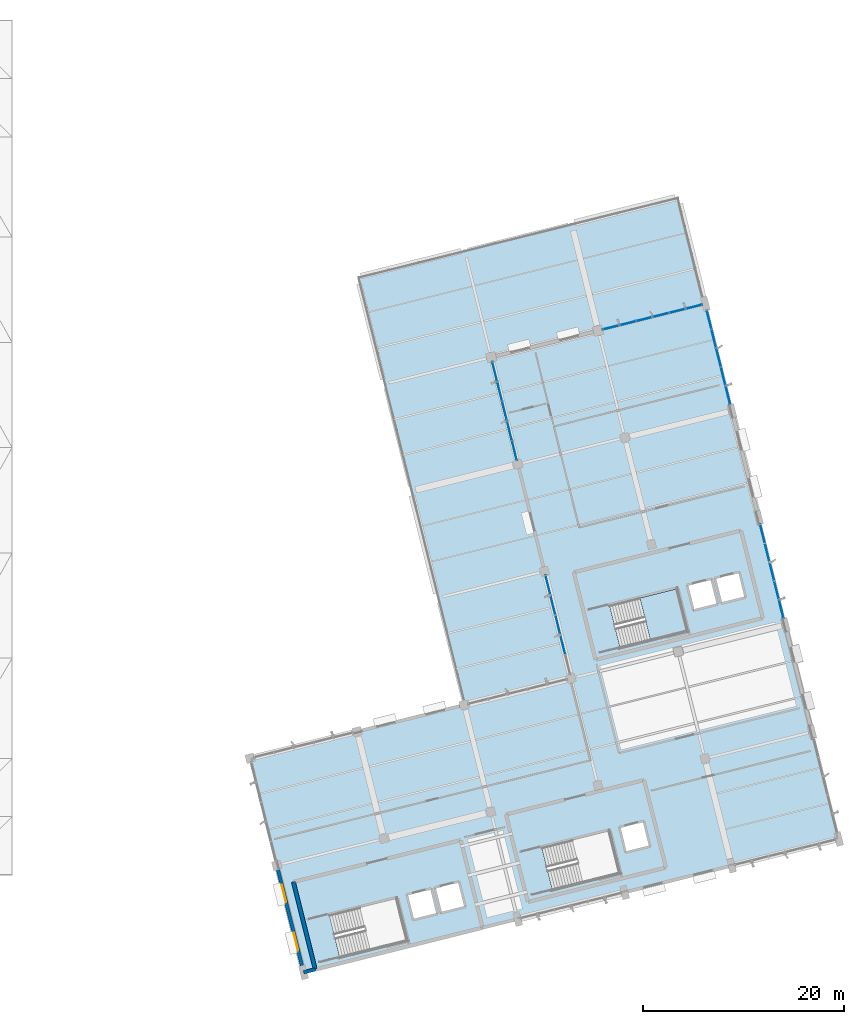
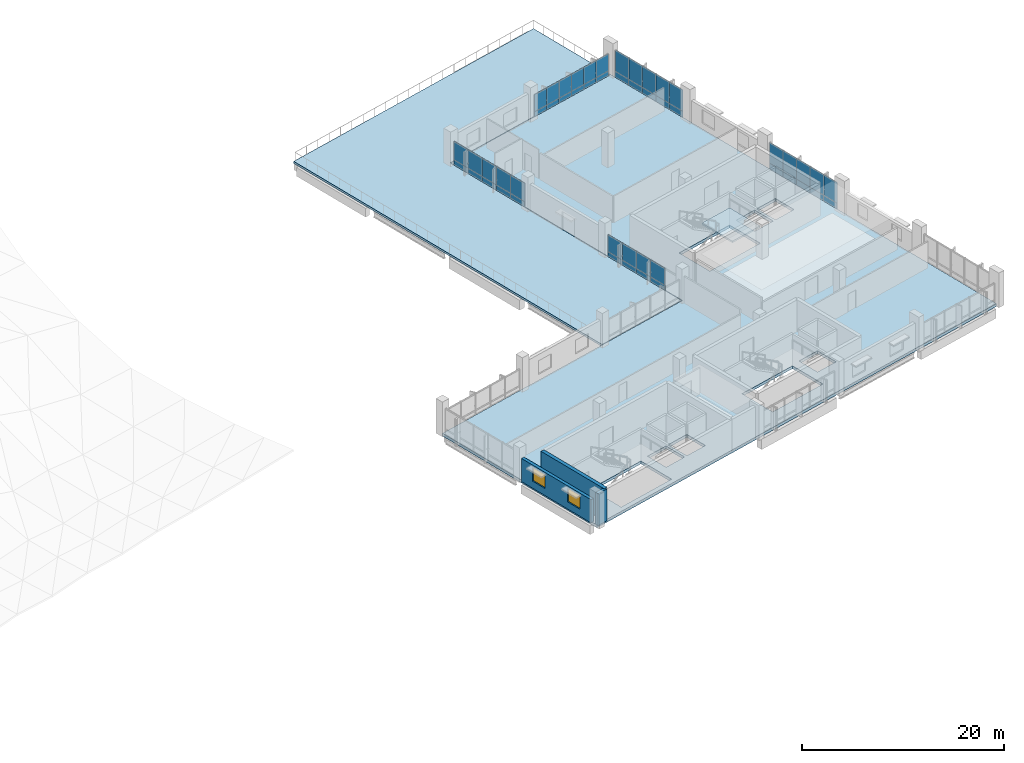
# One storey, part 34 of 42: 50 plates, 3 slabs, 3 walls, 2 windows, 2 openings, 6 elements without a shape of their own.
"""IFC4 building model written with IfcOpenShell, lengths in metres."""

import ifcopenshell
import ifcopenshell.guid

model = None  # the IFC model being written
_history = None  # IfcOwnerHistory: only IFC2X3 demands one
_inside = {}  # id of a spatial element -> (the spatial element, [elements in it])
_under = {}  # id of a project, library or spatial element -> (it, [spatial elements below it])
_declared = {}  # id of a project -> (the project, [libraries it declares])
_typed = {}  # id of a type object -> (the type object, [elements of that type])
_made_of = {}  # id of a material, layer set ... -> (it, [elements and type objects made of it])


def new_model(schema):
    """Start an empty IFC model of exactly this schema.

    Asked for "IFC4X3", IfcOpenShell would pick the latest addendum, in which some entities
    have other attributes; the version numbers below select the first issue.
    IFC2X3 requires an IfcOwnerHistory on every rooted entity: one is made here for all.
    """
    global model, _history
    if schema == "IFC4X3":
        model = ifcopenshell.file(schema_version=(4, 3, 0, 0))
    else:
        model = ifcopenshell.file(schema=schema)
    _inside.clear()
    _under.clear()
    _declared.clear()
    _typed.clear()
    _made_of.clear()
    _history = None
    if model.schema == "IFC2X3":
        org = make("IfcOrganization", Name="unknown")
        user = make(
            "IfcPersonAndOrganization",
            ThePerson=make("IfcPerson", FamilyName="unknown"),
            TheOrganization=org,
        )
        app = make(
            "IfcApplication",
            ApplicationDeveloper=org,
            Version="unknown",
            ApplicationFullName="unknown",
            ApplicationIdentifier="unknown",
        )
        _history = make(
            "IfcOwnerHistory",
            OwningUser=user,
            OwningApplication=app,
            ChangeAction="ADDED",
            CreationDate=0,
        )
    return model


def make(cls, **values):
    """One entity of the class cls with the attributes given. An attribute that is None is left unset."""
    return model.create_entity(
        cls, **{name: value for name, value in values.items() if value is not None}
    )


def rooted(cls, **values):
    """An entity with a GlobalId (a new one), such as an element, a storey or a relation."""
    return make(cls, GlobalId=ifcopenshell.guid.new(), OwnerHistory=_history, **values)


def si_unit(unit_type, name, prefix=None):
    """IfcSIUnit, for example si_unit("LENGTHUNIT", "METRE", prefix="MILLI")."""
    return make("IfcSIUnit", UnitType=unit_type, Prefix=prefix, Name=name)


def assignment(units):
    """IfcUnitAssignment: the units of a project."""
    return None if units is None else make("IfcUnitAssignment", Units=units)


def point(xyz):
    """IfcCartesianPoint."""
    return None if xyz is None else make("IfcCartesianPoint", Coordinates=xyz)


def direction(xyz):
    """IfcDirection."""
    return None if xyz is None else make("IfcDirection", DirectionRatios=xyz)


def frame(location, z_axis=None, x_axis=None):
    """IfcAxis2Placement3D, a coordinate frame: its origin and axes. An axis left out is left unset."""
    return make(
        "IfcAxis2Placement3D",
        Location=point(location),
        Axis=direction(z_axis),
        RefDirection=direction(x_axis),
    )


def frame_2d(location, x_axis=None):
    """IfcAxis2Placement2D, a coordinate frame in the plane: its origin and x axis."""
    return make(
        "IfcAxis2Placement2D", Location=point(location), RefDirection=direction(x_axis)
    )


def origin():
    """The frame at (0, 0, 0) with its axes left unset."""
    return frame((0.0, 0.0, 0.0))


def origin_2d():
    """The frame at (0, 0) in the plane with its x axis left unset."""
    return frame_2d((0.0, 0.0))


def place(relative_to, where):
    """IfcLocalPlacement: puts the frame where relative to a parent placement (None: the world)."""
    return make(
        "IfcLocalPlacement", PlacementRelTo=relative_to, RelativePlacement=where
    )


def context(
    kind, dimensions, precision=None, world=None, true_north=None, identifier=None
):
    """IfcGeometricRepresentationContext, for example the 3D "Model" context."""
    return make(
        "IfcGeometricRepresentationContext",
        ContextIdentifier=identifier,
        ContextType=kind,
        CoordinateSpaceDimension=dimensions,
        Precision=precision,
        WorldCoordinateSystem=world,
        TrueNorth=true_north,
    )


def subcontext(parent, identifier, kind, view, scale=None):
    """IfcGeometricRepresentationSubContext, for example "Body" below "Model"."""
    return make(
        "IfcGeometricRepresentationSubContext",
        ContextIdentifier=identifier,
        ContextType=kind,
        ParentContext=parent,
        TargetScale=scale,
        TargetView=view,
    )


def project(units=None, contexts=None):
    """IfcProject with its units and contexts."""
    return rooted(
        "IfcProject",
        Name="project",
        RepresentationContexts=contexts,
        UnitsInContext=assignment(units),
    )


def spatial(cls, under=None, at=None, **own):
    """A site, building, storey or space (cls), placed at a placement, below another one or the project."""
    s = rooted(cls, ObjectPlacement=at, **own)
    if under is not None:
        _under.setdefault(under.id(), (under, []))[1].append(s)
    return s


def polyline(points):
    """IfcPolyline through the points."""
    return make("IfcPolyline", Points=[point(p) for p in points])


def profile(cls, at=None, kind="AREA", **sizes):
    """A parametric profile (cls). Its sizes go by their IFC names, for example OverallWidth=200.0."""
    return make(cls, ProfileType=kind, Position=at, **sizes)


def rectangle(**sizes):
    """IfcRectangleProfileDef."""
    return profile("IfcRectangleProfileDef", **sizes)


def outline(outer, holes=None, kind="AREA"):
    """IfcArbitraryClosedProfileDef: a profile drawn as a closed curve; with holes, ...WithVoids."""
    if holes is None:
        return make("IfcArbitraryClosedProfileDef", ProfileType=kind, OuterCurve=outer)
    return make(
        "IfcArbitraryProfileDefWithVoids",
        ProfileType=kind,
        OuterCurve=outer,
        InnerCurves=holes,
    )


def extrude(swept, where, along, depth):
    """IfcExtrudedAreaSolid: the profile swept, set in the frame where, extruded along a direction by depth."""
    return make(
        "IfcExtrudedAreaSolid",
        SweptArea=swept,
        Position=where,
        ExtrudedDirection=direction(along),
        Depth=depth,
    )


def shape(context_of_items, identifier, shape_type, items):
    """IfcShapeRepresentation: the items that make up one representation, for example the "Body"."""
    return make(
        "IfcShapeRepresentation",
        ContextOfItems=context_of_items,
        RepresentationIdentifier=identifier,
        RepresentationType=shape_type,
        Items=items,
    )


def material(Name=None, Category=None):
    """IfcMaterial."""
    return make("IfcMaterial", Name=Name, Category=Category)


def layer(
    of_material, thickness, ventilated=None, Name=None, Category=None, Priority=None
):
    """IfcMaterialLayer: one layer of a wall or slab, of a material (None: an air gap)."""
    return make(
        "IfcMaterialLayer",
        Material=of_material,
        LayerThickness=thickness,
        IsVentilated=ventilated,
        Name=Name,
        Category=Category,
        Priority=Priority,
    )


def layer_set(layers, Name=None):
    """IfcMaterialLayerSet."""
    return make("IfcMaterialLayerSet", MaterialLayers=layers, LayerSetName=Name)


def made_of(thing, what):
    """Note that an element or type object is made of a material, layer set ...; save() writes the relation."""
    if what is not None:
        _made_of.setdefault(what.id(), (what, []))[1].append(thing)
    return thing


def type_object(cls, material=None, **own):
    """A type object (cls), such as IfcWallType, which elements share."""
    return made_of(rooted(cls, **own), material)


def element(
    cls,
    number,
    at=None,
    inside=None,
    cuts=None,
    type_object=None,
    material=None,
    context=None,
    identifier="Body",
    shape_type=None,
    held_by="IfcProductDefinitionShape",
    body=None,
    shapes=None,
    **own,
):
    """One element of the class cls, such as IfcWall. Its Tag is "e" and its number.

    at: its placement. inside: the storey or other place that contains it. cuts: it is an
    opening in that element (IfcRelVoidsElement). A single representation is given by context,
    identifier, shape_type and body (its items); several are given by shapes. held_by: the class
    of the entity that holds the representations. save() writes the other relations.
    """
    e = rooted(cls, Tag="e%d" % number, ObjectPlacement=at, **own)
    if body is not None:
        shapes = [shape(context, identifier, shape_type, body)]
    if shapes is not None:
        e.Representation = make(held_by, Representations=shapes)
    if inside is not None:
        _inside.setdefault(inside.id(), (inside, []))[1].append(e)
    if cuts is not None:
        rooted(
            "IfcRelVoidsElement", RelatingBuildingElement=cuts, RelatedOpeningElement=e
        )
    if type_object is not None:
        _typed.setdefault(type_object.id(), (type_object, []))[1].append(e)
    return made_of(e, material)


def fill(opening, filler):
    """IfcRelFillsElement: the door or window that sits in an opening."""
    return rooted(
        "IfcRelFillsElement",
        RelatingOpeningElement=opening,
        RelatedBuildingElement=filler,
    )


def aggregate(whole, parts):
    """IfcRelAggregates: a whole, such as a stair, and the parts it consists of."""
    return rooted("IfcRelAggregates", RelatingObject=whole, RelatedObjects=parts)


def save(model, path):
    """Write the relations noted so far, then the file.

    IfcRelAggregates (storeys below a building ...), IfcRelContainedInSpatialStructure (elements
    in a storey), IfcRelDefinesByType, IfcRelAssociatesMaterial and IfcRelDeclares: one each for
    every whole, place, type object, material and project.
    """
    for whole, parts in _under.values():
        aggregate(whole, parts)
    for where, things in _inside.values():
        rooted(
            "IfcRelContainedInSpatialStructure",
            RelatedElements=things,
            RelatingStructure=where,
        )
    for kind, things in _typed.values():
        rooted("IfcRelDefinesByType", RelatedObjects=things, RelatingType=kind)
    for what, things in _made_of.values():
        rooted("IfcRelAssociatesMaterial", RelatedObjects=things, RelatingMaterial=what)
    for by, libraries in _declared.values():
        rooted("IfcRelDeclares", RelatingContext=by, RelatedDefinitions=libraries)
    model.write(path)


model = new_model("IFC4")

# Units and contexts
model_context = context("Model", 3, precision=1e-05, world=origin(), true_north=direction((0.0, 1.0)))
body_context = subcontext(model_context, "Body", "Model", "MODEL_VIEW")
ifc_project = project(units=[si_unit("LENGTHUNIT", "METRE"), si_unit("AREAUNIT", "SQUARE_METRE"), si_unit("VOLUMEUNIT", "CUBIC_METRE"), si_unit("PLANEANGLEUNIT", "RADIAN"), si_unit("MASSUNIT", "GRAM", prefix="KILO")], contexts=[model_context])

# Site, building, storey
site_placement = place(None, origin())
site = spatial("IfcSite", under=ifc_project, at=site_placement, CompositionType="ELEMENT")
building_placement = place(site_placement, origin())
building = spatial("IfcBuilding", under=site, at=building_placement, Name="Khorjan Park Terminus", CompositionType="ELEMENT")
storey_placement = place(building_placement, frame((0.0, 0.0, 20.4)))
storey = spatial("IfcBuildingStorey", under=building, at=storey_placement, Name="L04", CompositionType="ELEMENT", Elevation=20.4)

# Curtain wall, plates
ifc_material_1 = material(Name="Anodized Bronze Aluminium", Category="aluminium")
ifc_layer_1 = layer(ifc_material_1, 0.22)
ifc_layer_set_1 = layer_set([ifc_layer_1], Name="Anodized Bronze Aluminium")
curtain_wall_type = type_object("IfcCurtainWallType", Name="CW-OPS-B", PredefinedType="NOTDEFINED", material=ifc_layer_set_1)
curtain_wall_1_placement = place(storey_placement, origin())
curtain_wall_1 = element("IfcCurtainWall", 1, at=curtain_wall_1_placement, inside=storey, type_object=curtain_wall_type, Name="Unitized curtain wall CW-B (CW-V5-E-L04-B03)", PredefinedType="NOTDEFINED")
ifc_material_2 = material(Name="Low-E Solar Control Double Glazing", Category="glass")
ifc_layer_2 = layer(ifc_material_2, 0.032)
ifc_layer_set_2 = layer_set([ifc_layer_2], Name="Low-E Solar Control Double Glazing")
plate_type_1 = type_object("IfcPlateType", Name="GL-VIS-32", PredefinedType="CURTAIN_PANEL", material=ifc_layer_set_2)
plate_1_placement = place(storey_placement, frame((224.3195, 40.9083, 0.705), z_axis=(0.0, 0.0, 1.0), x_axis=(-0.241922975976, 0.970295456907, 0.0)))
plate_1 = element("IfcPlate", 2, at=plate_1_placement, type_object=plate_type_1, Name="Curtain-wall panel VP-32 (CW-V5-E-L04-B03-0-2)", PredefinedType="CURTAIN_PANEL", context=body_context, shape_type="SweptSolid", body=[
    extrude(rectangle(XDim=1.9281, YDim=0.032, at=origin_2d()), origin(), (0.0, 0.0, 1.0), 2.51),
])
plate_2_placement = place(storey_placement, frame((223.8531, 42.7792, 0.705), z_axis=(0.0, 0.0, 1.0), x_axis=(-0.241922975976, 0.970295456907, 0.0)))
plate_2 = element("IfcPlate", 3, at=plate_2_placement, type_object=plate_type_1, Name="Curtain-wall panel VP-32 (CW-V5-E-L04-B03-1-2)", PredefinedType="CURTAIN_PANEL", context=body_context, shape_type="SweptSolid", body=[
    extrude(rectangle(XDim=1.9281, YDim=0.032, at=origin_2d()), origin(), (0.0, 0.0, 1.0), 2.51),
])
plate_3_placement = place(storey_placement, frame((223.3867, 44.6501, 0.705), z_axis=(0.0, 0.0, 1.0), x_axis=(-0.241922975976, 0.970295456907, 0.0)))
plate_3 = element("IfcPlate", 4, at=plate_3_placement, type_object=plate_type_1, Name="Curtain-wall panel VP-32 (CW-V5-E-L04-B03-2-2)", PredefinedType="CURTAIN_PANEL", context=body_context, shape_type="SweptSolid", body=[
    extrude(rectangle(XDim=1.9281, YDim=0.032, at=origin_2d()), origin(), (0.0, 0.0, 1.0), 2.51),
])
plate_4_placement = place(storey_placement, frame((222.9202, 46.5209, 0.705), z_axis=(0.0, 0.0, 1.0), x_axis=(-0.241922975976, 0.970295456907, 0.0)))
plate_4 = element("IfcPlate", 5, at=plate_4_placement, type_object=plate_type_1, Name="Curtain-wall panel VP-32 (CW-V5-E-L04-B03-3-2)", PredefinedType="CURTAIN_PANEL", context=body_context, shape_type="SweptSolid", body=[
    extrude(rectangle(XDim=1.9281, YDim=0.032, at=origin_2d()), origin(), (0.0, 0.0, 1.0), 2.51),
])
plate_5_placement = place(storey_placement, frame((222.4538, 48.3918, 0.705), z_axis=(0.0, 0.0, 1.0), x_axis=(-0.241922975976, 0.970295456907, 0.0)))
plate_5 = element("IfcPlate", 6, at=plate_5_placement, type_object=plate_type_1, Name="Curtain-wall panel VP-32 (CW-V5-E-L04-B03-4-2)", PredefinedType="CURTAIN_PANEL", context=body_context, shape_type="SweptSolid", body=[
    extrude(rectangle(XDim=1.9281, YDim=0.032, at=origin_2d()), origin(), (0.0, 0.0, 1.0), 2.51),
])

curtain_wall_2_placement = place(storey_placement, origin())
curtain_wall_2 = element("IfcCurtainWall", 7, at=curtain_wall_2_placement, inside=storey, type_object=curtain_wall_type, Name="Unitized curtain wall CW-B (CW-V5-NW1-L04-B03)", PredefinedType="NOTDEFINED")
plate_6_placement = place(storey_placement, frame((201.059, 43.2629, 0.583), z_axis=(0.0, 0.0, 1.0), x_axis=(0.241920636916, -0.9702960401, 0.0)))
plate_6 = element("IfcPlate", 8, at=plate_6_placement, type_object=plate_type_1, Name="Curtain-wall panel VP-32 (CW-V5-NW1-L04-B03-0-2)", PredefinedType="CURTAIN_PANEL", context=body_context, shape_type="SweptSolid", body=[
    extrude(rectangle(XDim=2.0279, YDim=0.032, at=origin_2d()), origin(), (0.0, 0.0, 1.0), 2.077),
])
plate_7_placement = place(storey_placement, frame((201.5496, 41.2952, 0.583), z_axis=(0.0, 0.0, 1.0), x_axis=(0.241920636916, -0.9702960401, 0.0)))
plate_7 = element("IfcPlate", 9, at=plate_7_placement, type_object=plate_type_1, Name="Curtain-wall panel VP-32 (CW-V5-NW1-L04-B03-1-2)", PredefinedType="CURTAIN_PANEL", context=body_context, shape_type="SweptSolid", body=[
    extrude(rectangle(XDim=2.0279, YDim=0.032, at=origin_2d()), origin(), (0.0, 0.0, 1.0), 2.077),
])
plate_8_placement = place(storey_placement, frame((202.0402, 39.3274, 0.583), z_axis=(0.0, 0.0, 1.0), x_axis=(0.241920636916, -0.9702960401, 0.0)))
plate_8 = element("IfcPlate", 10, at=plate_8_placement, type_object=plate_type_1, Name="Curtain-wall panel VP-32 (CW-V5-NW1-L04-B03-2-2)", PredefinedType="CURTAIN_PANEL", context=body_context, shape_type="SweptSolid", body=[
    extrude(rectangle(XDim=2.0279, YDim=0.032, at=origin_2d()), origin(), (0.0, 0.0, 1.0), 2.077),
])
plate_9_placement = place(storey_placement, frame((202.5308, 37.3598, 0.583), z_axis=(0.0, 0.0, 1.0), x_axis=(0.241920636916, -0.9702960401, 0.0)))
plate_9 = element("IfcPlate", 11, at=plate_9_placement, type_object=plate_type_1, Name="Curtain-wall panel VP-32 (CW-V5-NW1-L04-B03-3-2)", PredefinedType="CURTAIN_PANEL", context=body_context, shape_type="SweptSolid", body=[
    extrude(rectangle(XDim=2.0279, YDim=0.032, at=origin_2d()), origin(), (0.0, 0.0, 1.0), 2.077),
])

curtain_wall_3_placement = place(storey_placement, origin())
curtain_wall_3 = element("IfcCurtainWall", 12, at=curtain_wall_3_placement, inside=storey, type_object=curtain_wall_type, Name="Unitized curtain wall CW-B (CW-V5-E-L04-B05)", PredefinedType="NOTDEFINED")
ifc_material_3 = material(Name="Acoustic Laminated Solar Glazing", Category="glass")
ifc_layer_3 = layer(ifc_material_3, 0.036)
ifc_layer_set_3 = layer_set([ifc_layer_3], Name="Acoustic Laminated Solar Glazing")
plate_type_2 = type_object("IfcPlateType", Name="GL-VIS-36", PredefinedType="CURTAIN_PANEL", material=ifc_layer_set_3)
plate_10_placement = place(storey_placement, frame((218.9973, 62.2552, 0.729), z_axis=(0.0, 0.0, 1.0), x_axis=(-0.241935125171, 0.970292427678, 0.0)))
plate_10 = element("IfcPlate", 13, at=plate_10_placement, type_object=plate_type_2, Name="Curtain-wall panel VP-36 (CW-V5-E-L04-B05-0-2)", PredefinedType="CURTAIN_PANEL", context=body_context, shape_type="SweptSolid", body=[
    extrude(rectangle(XDim=1.928, YDim=0.036, at=origin_2d()), origin(), (0.0, 0.0, 1.0), 2.596),
])
plate_11_placement = place(storey_placement, frame((218.5308, 64.1258, 0.729), z_axis=(0.0, 0.0, 1.0), x_axis=(-0.241935125171, 0.970292427678, 0.0)))
plate_11 = element("IfcPlate", 14, at=plate_11_placement, type_object=plate_type_2, Name="Curtain-wall panel VP-36 (CW-V5-E-L04-B05-1-2)", PredefinedType="CURTAIN_PANEL", context=body_context, shape_type="SweptSolid", body=[
    extrude(rectangle(XDim=1.928, YDim=0.036, at=origin_2d()), origin(), (0.0, 0.0, 1.0), 2.596),
])
plate_12_placement = place(storey_placement, frame((218.0644, 65.9965, 0.729), z_axis=(0.0, 0.0, 1.0), x_axis=(-0.241935125171, 0.970292427678, 0.0)))
plate_12 = element("IfcPlate", 15, at=plate_12_placement, type_object=plate_type_2, Name="Curtain-wall panel VP-36 (CW-V5-E-L04-B05-2-2)", PredefinedType="CURTAIN_PANEL", context=body_context, shape_type="SweptSolid", body=[
    extrude(rectangle(XDim=1.928, YDim=0.036, at=origin_2d()), origin(), (0.0, 0.0, 1.0), 2.596),
])
plate_13_placement = place(storey_placement, frame((217.5979, 67.8671, 0.729), z_axis=(0.0, 0.0, 1.0), x_axis=(-0.241935125171, 0.970292427678, 0.0)))
plate_13 = element("IfcPlate", 16, at=plate_13_placement, type_object=plate_type_2, Name="Curtain-wall panel VP-36 (CW-V5-E-L04-B05-3-2)", PredefinedType="CURTAIN_PANEL", context=body_context, shape_type="SweptSolid", body=[
    extrude(rectangle(XDim=1.928, YDim=0.036, at=origin_2d()), origin(), (0.0, 0.0, 1.0), 2.596),
])
plate_14_placement = place(storey_placement, frame((217.1315, 69.7378, 0.729), z_axis=(0.0, 0.0, 1.0), x_axis=(-0.241935125171, 0.970292427678, 0.0)))
plate_14 = element("IfcPlate", 17, at=plate_14_placement, type_object=plate_type_2, Name="Curtain-wall panel VP-36 (CW-V5-E-L04-B05-4-2)", PredefinedType="CURTAIN_PANEL", context=body_context, shape_type="SweptSolid", body=[
    extrude(rectangle(XDim=1.928, YDim=0.036, at=origin_2d()), origin(), (0.0, 0.0, 1.0), 2.596),
])

curtain_wall_4_placement = place(storey_placement, origin())
curtain_wall_4 = element("IfcCurtainWall", 18, at=curtain_wall_4_placement, inside=storey, type_object=curtain_wall_type, Name="Unitized curtain wall CW-B (CW-V5-N-L04-B01)", PredefinedType="NOTDEFINED")
plate_15_placement = place(storey_placement, frame((215.5899, 71.0478, 0.586), z_axis=(0.0, 0.0, 1.0), x_axis=(-0.970296438026, -0.241919040907, 0.0)))
plate_15 = element("IfcPlate", 19, at=plate_15_placement, type_object=plate_type_2, Name="Curtain-wall panel VP-36 (CW-V5-N-L04-B01-0-2)", PredefinedType="CURTAIN_PANEL", context=body_context, shape_type="SweptSolid", body=[
    extrude(rectangle(XDim=1.6983, YDim=0.036, at=origin_2d()), origin(), (0.0, 0.0, 1.0), 2.089),
])
plate_16_placement = place(storey_placement, frame((213.942, 70.637, 0.586), z_axis=(0.0, 0.0, 1.0), x_axis=(-0.970296438026, -0.241919040907, 0.0)))
plate_16 = element("IfcPlate", 20, at=plate_16_placement, type_object=plate_type_2, Name="Curtain-wall panel VP-36 (CW-V5-N-L04-B01-1-2)", PredefinedType="CURTAIN_PANEL", context=body_context, shape_type="SweptSolid", body=[
    extrude(rectangle(XDim=1.6983, YDim=0.036, at=origin_2d()), origin(), (0.0, 0.0, 1.0), 2.089),
])
plate_17_placement = place(storey_placement, frame((212.2942, 70.2262, 0.586), z_axis=(0.0, 0.0, 1.0), x_axis=(-0.970296438026, -0.241919040907, 0.0)))
plate_17 = element("IfcPlate", 21, at=plate_17_placement, type_object=plate_type_2, Name="Curtain-wall panel VP-36 (CW-V5-N-L04-B01-2-2)", PredefinedType="CURTAIN_PANEL", context=body_context, shape_type="SweptSolid", body=[
    extrude(rectangle(XDim=1.6983, YDim=0.036, at=origin_2d()), origin(), (0.0, 0.0, 1.0), 2.089),
])
plate_18_placement = place(storey_placement, frame((210.6463, 69.8153, 0.586), z_axis=(0.0, 0.0, 1.0), x_axis=(-0.970296438026, -0.241919040907, 0.0)))
plate_18 = element("IfcPlate", 22, at=plate_18_placement, type_object=plate_type_2, Name="Curtain-wall panel VP-36 (CW-V5-N-L04-B01-3-2)", PredefinedType="CURTAIN_PANEL", context=body_context, shape_type="SweptSolid", body=[
    extrude(rectangle(XDim=1.6983, YDim=0.036, at=origin_2d()), origin(), (0.0, 0.0, 1.0), 2.089),
])
plate_19_placement = place(storey_placement, frame((208.9985, 69.4044, 0.586), z_axis=(0.0, 0.0, 1.0), x_axis=(-0.970296438026, -0.241919040907, 0.0)))
plate_19 = element("IfcPlate", 23, at=plate_19_placement, type_object=plate_type_2, Name="Curtain-wall panel VP-36 (CW-V5-N-L04-B01-4-2)", PredefinedType="CURTAIN_PANEL", context=body_context, shape_type="SweptSolid", body=[
    extrude(rectangle(XDim=1.6983, YDim=0.036, at=origin_2d()), origin(), (0.0, 0.0, 1.0), 2.089),
])
plate_20_placement = place(storey_placement, frame((207.3507, 68.9936, 0.586), z_axis=(0.0, 0.0, 1.0), x_axis=(-0.970296438026, -0.241919040907, 0.0)))
plate_20 = element("IfcPlate", 24, at=plate_20_placement, type_object=plate_type_2, Name="Curtain-wall panel VP-36 (CW-V5-N-L04-B01-5-2)", PredefinedType="CURTAIN_PANEL", context=body_context, shape_type="SweptSolid", body=[
    extrude(rectangle(XDim=1.6983, YDim=0.036, at=origin_2d()), origin(), (0.0, 0.0, 1.0), 2.089),
])

curtain_wall_5_placement = place(storey_placement, origin())
curtain_wall_5 = element("IfcCurtainWall", 25, at=curtain_wall_5_placement, inside=storey, type_object=curtain_wall_type, Name="Unitized curtain wall CW-B (CW-V5-NW1-L04-B01)", PredefinedType="NOTDEFINED")
plate_21_placement = place(storey_placement, frame((195.7475, 64.5663, 0.63), z_axis=(0.0, 0.0, 1.0), x_axis=(0.241919922282, -0.970296218277, 0.0)))
plate_21 = element("IfcPlate", 26, at=plate_21_placement, type_object=plate_type_2, Name="Curtain-wall panel VP-36 (CW-V5-NW1-L04-B01-0-2)", PredefinedType="CURTAIN_PANEL", context=body_context, shape_type="SweptSolid", body=[
    extrude(rectangle(XDim=2.0179, YDim=0.036, at=origin_2d()), origin(), (0.0, 0.0, 1.0), 2.245),
])
plate_22_placement = place(storey_placement, frame((196.2357, 62.6083, 0.63), z_axis=(0.0, 0.0, 1.0), x_axis=(0.241919922282, -0.970296218277, 0.0)))
plate_22 = element("IfcPlate", 27, at=plate_22_placement, type_object=plate_type_2, Name="Curtain-wall panel VP-36 (CW-V5-NW1-L04-B01-1-2)", PredefinedType="CURTAIN_PANEL", context=body_context, shape_type="SweptSolid", body=[
    extrude(rectangle(XDim=2.0179, YDim=0.036, at=origin_2d()), origin(), (0.0, 0.0, 1.0), 2.245),
])
plate_23_placement = place(storey_placement, frame((196.7238, 60.6503, 0.63), z_axis=(0.0, 0.0, 1.0), x_axis=(0.241919922282, -0.970296218277, 0.0)))
plate_23 = element("IfcPlate", 28, at=plate_23_placement, type_object=plate_type_2, Name="Curtain-wall panel VP-36 (CW-V5-NW1-L04-B01-2-2)", PredefinedType="CURTAIN_PANEL", context=body_context, shape_type="SweptSolid", body=[
    extrude(rectangle(XDim=2.0179, YDim=0.036, at=origin_2d()), origin(), (0.0, 0.0, 1.0), 2.245),
])
plate_24_placement = place(storey_placement, frame((197.212, 58.6923, 0.63), z_axis=(0.0, 0.0, 1.0), x_axis=(0.241919922282, -0.970296218277, 0.0)))
plate_24 = element("IfcPlate", 29, at=plate_24_placement, type_object=plate_type_2, Name="Curtain-wall panel VP-36 (CW-V5-NW1-L04-B01-3-2)", PredefinedType="CURTAIN_PANEL", context=body_context, shape_type="SweptSolid", body=[
    extrude(rectangle(XDim=2.0179, YDim=0.036, at=origin_2d()), origin(), (0.0, 0.0, 1.0), 2.245),
])
plate_25_placement = place(storey_placement, frame((197.7002, 56.7343, 0.63), z_axis=(0.0, 0.0, 1.0), x_axis=(0.241919922282, -0.970296218277, 0.0)))
plate_25 = element("IfcPlate", 30, at=plate_25_placement, type_object=plate_type_2, Name="Curtain-wall panel VP-36 (CW-V5-NW1-L04-B01-4-2)", PredefinedType="CURTAIN_PANEL", context=body_context, shape_type="SweptSolid", body=[
    extrude(rectangle(XDim=2.0179, YDim=0.036, at=origin_2d()), origin(), (0.0, 0.0, 1.0), 2.245),
])

# Slab
ifc_material_4 = material(Name="Concrete C40/50", Category="concrete")
ifc_layer_4 = layer(ifc_material_4, 0.34)
ifc_layer_set_4 = layer_set([ifc_layer_4], Name="Concrete C40/50")
slab_type_1 = type_object("IfcSlabType", Name="SL-FLR-340", PredefinedType="FLOOR", material=ifc_layer_set_4)
slab_1_placement = place(storey_placement, frame((0.0, 0.0, -0.34)))
element("IfcSlab", 31, at=slab_1_placement, inside=storey, type_object=slab_type_1, Name="Structural floor slab FS-34 (L04-V5-IN)", PredefinedType="FLOOR", context=body_context, shape_type="SweptSolid", body=[
    extrude(outline(polyline([(171.351, 26.0076), (203.3707, 33.9911), (195.3873, 66.0108), (216.7338, 71.3331), (230.0395, 17.9668), (176.6733, 4.6611), (171.351, 26.0076)]), holes=[polyline([(185.9646, 12.038), (179.2453, 10.3627), (180.3001, 6.1322), (187.0194, 7.8075), (185.9646, 12.038)]), polyline([(189.4141, 13.0423), (186.9495, 12.4279), (187.5882, 9.8663), (190.0528, 10.4808), (189.4141, 13.0423)]), polyline([(192.1891, 13.7342), (189.7246, 13.1198), (190.3633, 10.5582), (192.8278, 11.1727), (192.1891, 13.7342)]), polyline([(207.1665, 18.7671), (200.4472, 17.0918), (201.502, 12.8613), (208.2213, 14.5366), (207.1665, 18.7671)]), polyline([(210.616, 19.7714), (208.1514, 19.157), (208.7901, 16.5954), (211.2547, 17.2099), (210.616, 19.7714)]), polyline([(213.9243, 42.9194), (207.205, 41.2441), (208.2598, 37.0136), (214.9791, 38.6889), (213.9243, 42.9194)]), polyline([(217.3738, 43.9237), (214.9092, 43.3093), (215.5479, 40.7477), (218.0125, 41.3622), (217.3738, 43.9237)]), polyline([(220.1488, 44.6156), (217.6843, 44.0012), (218.323, 41.4396), (220.7875, 42.0541), (220.1488, 44.6156)])]), origin(), (0.0, 0.0, 1.0), 0.34),
])

# Stair, slab
stair_type = type_object("IfcStairType", Name="STR-CORE-200", PredefinedType="HALF_TURN_STAIR", material=ifc_material_4)
stair_placement = place(storey_placement, origin())
stair = element("IfcStair", 32, at=stair_placement, inside=storey, type_object=stair_type, Name="L04 Operations North-East Firefighting Core exit stair ST-04", PredefinedType="HALF_TURN_STAIR")
ifc_layer_5 = layer(ifc_material_4, 0.2)
ifc_layer_set_5 = layer_set([ifc_layer_5], Name="Concrete C40/50")
slab_type_2 = type_object("IfcSlabType", Name="SL-LND-200", PredefinedType="LANDING", material=ifc_layer_set_5)
slab_2_placement = place(storey_placement, frame((0.0, 0.0, 1.9)))
slab_2 = element("IfcSlab", 33, at=slab_2_placement, type_object=slab_type_2, Name="ST-04 landing 1", PredefinedType="LANDING", context=body_context, shape_type="SweptSolid", body=[
    extrude(outline(polyline([(211.2725, 37.7648), (214.9791, 38.6889), (213.9243, 42.9194), (210.2178, 41.9952), (211.2725, 37.7648)])), origin(), (0.0, 0.0, 1.0), 0.2),
])
aggregate(stair, [slab_2])

# Slab
ifc_layer_6 = layer(ifc_material_4, 0.26)
ifc_layer_set_6 = layer_set([ifc_layer_6], Name="Concrete C40/50")
slab_type_3 = type_object("IfcSlabType", Name="SL-TER-260", PredefinedType="ROOF", material=ifc_layer_set_6)
slab_3_placement = place(storey_placement, frame((0.0, 0.0, -0.26)))
element("IfcSlab", 34, at=slab_3_placement, inside=storey, type_object=slab_type_3, Name="External terrace slab TS-26 (L04-TER-N)", PredefinedType="ROOF", context=body_context, shape_type="SweptSolid", body=[
    extrude(outline(polyline([(192.6878, 31.3687), (203.3222, 34.0202), (195.3388, 66.04), (216.7241, 71.3719), (214.0727, 82.0064), (182.0529, 74.0229), (192.6878, 31.3687)])), origin(), (0.0, 0.0, 1.0), 0.26),
])

# Plate
ifc_material_5 = material(Name="Insulated Bronze-Composite Spandrel Panel")
ifc_layer_7 = layer(ifc_material_5, 0.055)
ifc_layer_set_7 = layer_set([ifc_layer_7], Name="Insulated Bronze-Composite Spandrel Panel")
plate_type_3 = type_object("IfcPlateType", Name="SP-AL-55", PredefinedType="CURTAIN_PANEL", material=ifc_layer_set_7)
plate_26_placement = place(storey_placement, frame((224.3195, 40.9083, -0.01), z_axis=(0.0, 0.0, 1.0), x_axis=(-0.241922975976, 0.970295456907, 0.0)))
plate_26 = element("IfcPlate", 35, at=plate_26_placement, type_object=plate_type_3, Name="Curtain-wall panel SP-A55 (CW-V5-E-L04-B03-0-1)", PredefinedType="CURTAIN_PANEL", context=body_context, shape_type="SweptSolid", body=[
    extrude(rectangle(XDim=1.9281, YDim=0.055, at=origin_2d()), origin(), (0.0, 0.0, 1.0), 0.715),
])

plate_27_placement = place(storey_placement, frame((223.8531, 42.7792, -0.01), z_axis=(0.0, 0.0, 1.0), x_axis=(-0.241922975976, 0.970295456907, 0.0)))
plate_27 = element("IfcPlate", 36, at=plate_27_placement, type_object=plate_type_3, Name="Curtain-wall panel SP-A55 (CW-V5-E-L04-B03-1-1)", PredefinedType="CURTAIN_PANEL", context=body_context, shape_type="SweptSolid", body=[
    extrude(rectangle(XDim=1.9281, YDim=0.055, at=origin_2d()), origin(), (0.0, 0.0, 1.0), 0.715),
])

plate_28_placement = place(storey_placement, frame((223.3867, 44.6501, -0.01), z_axis=(0.0, 0.0, 1.0), x_axis=(-0.241922975976, 0.970295456907, 0.0)))
plate_28 = element("IfcPlate", 37, at=plate_28_placement, type_object=plate_type_3, Name="Curtain-wall panel SP-A55 (CW-V5-E-L04-B03-2-1)", PredefinedType="CURTAIN_PANEL", context=body_context, shape_type="SweptSolid", body=[
    extrude(rectangle(XDim=1.9281, YDim=0.055, at=origin_2d()), origin(), (0.0, 0.0, 1.0), 0.715),
])

plate_29_placement = place(storey_placement, frame((222.9202, 46.5209, -0.01), z_axis=(0.0, 0.0, 1.0), x_axis=(-0.241922975976, 0.970295456907, 0.0)))
plate_29 = element("IfcPlate", 38, at=plate_29_placement, type_object=plate_type_3, Name="Curtain-wall panel SP-A55 (CW-V5-E-L04-B03-3-1)", PredefinedType="CURTAIN_PANEL", context=body_context, shape_type="SweptSolid", body=[
    extrude(rectangle(XDim=1.9281, YDim=0.055, at=origin_2d()), origin(), (0.0, 0.0, 1.0), 0.715),
])

plate_30_placement = place(storey_placement, frame((222.4538, 48.3918, -0.01), z_axis=(0.0, 0.0, 1.0), x_axis=(-0.241922975976, 0.970295456907, 0.0)))
plate_30 = element("IfcPlate", 39, at=plate_30_placement, type_object=plate_type_3, Name="Curtain-wall panel SP-A55 (CW-V5-E-L04-B03-4-1)", PredefinedType="CURTAIN_PANEL", context=body_context, shape_type="SweptSolid", body=[
    extrude(rectangle(XDim=1.9281, YDim=0.055, at=origin_2d()), origin(), (0.0, 0.0, 1.0), 0.715),
])

aggregate(curtain_wall_1, [plate_26, plate_1, plate_27, plate_2, plate_28, plate_3, plate_29, plate_4, plate_30, plate_5])

plate_31_placement = place(storey_placement, frame((218.9973, 62.2552, -0.01), z_axis=(0.0, 0.0, 1.0), x_axis=(-0.241935125171, 0.970292427678, 0.0)))
plate_31 = element("IfcPlate", 40, at=plate_31_placement, type_object=plate_type_3, Name="Curtain-wall panel SP-A55 (CW-V5-E-L04-B05-0-1)", PredefinedType="CURTAIN_PANEL", context=body_context, shape_type="SweptSolid", body=[
    extrude(rectangle(XDim=1.928, YDim=0.055, at=origin_2d()), origin(), (0.0, 0.0, 1.0), 0.739),
])

plate_32_placement = place(storey_placement, frame((218.5308, 64.1258, -0.01), z_axis=(0.0, 0.0, 1.0), x_axis=(-0.241935125171, 0.970292427678, 0.0)))
plate_32 = element("IfcPlate", 41, at=plate_32_placement, type_object=plate_type_3, Name="Curtain-wall panel SP-A55 (CW-V5-E-L04-B05-1-1)", PredefinedType="CURTAIN_PANEL", context=body_context, shape_type="SweptSolid", body=[
    extrude(rectangle(XDim=1.928, YDim=0.055, at=origin_2d()), origin(), (0.0, 0.0, 1.0), 0.739),
])

plate_33_placement = place(storey_placement, frame((218.0644, 65.9965, -0.01), z_axis=(0.0, 0.0, 1.0), x_axis=(-0.241935125171, 0.970292427678, 0.0)))
plate_33 = element("IfcPlate", 42, at=plate_33_placement, type_object=plate_type_3, Name="Curtain-wall panel SP-A55 (CW-V5-E-L04-B05-2-1)", PredefinedType="CURTAIN_PANEL", context=body_context, shape_type="SweptSolid", body=[
    extrude(rectangle(XDim=1.928, YDim=0.055, at=origin_2d()), origin(), (0.0, 0.0, 1.0), 0.739),
])

plate_34_placement = place(storey_placement, frame((217.5979, 67.8671, -0.01), z_axis=(0.0, 0.0, 1.0), x_axis=(-0.241935125171, 0.970292427678, 0.0)))
plate_34 = element("IfcPlate", 43, at=plate_34_placement, type_object=plate_type_3, Name="Curtain-wall panel SP-A55 (CW-V5-E-L04-B05-3-1)", PredefinedType="CURTAIN_PANEL", context=body_context, shape_type="SweptSolid", body=[
    extrude(rectangle(XDim=1.928, YDim=0.055, at=origin_2d()), origin(), (0.0, 0.0, 1.0), 0.739),
])

plate_35_placement = place(storey_placement, frame((217.1315, 69.7378, -0.01), z_axis=(0.0, 0.0, 1.0), x_axis=(-0.241935125171, 0.970292427678, 0.0)))
plate_35 = element("IfcPlate", 44, at=plate_35_placement, type_object=plate_type_3, Name="Curtain-wall panel SP-A55 (CW-V5-E-L04-B05-4-1)", PredefinedType="CURTAIN_PANEL", context=body_context, shape_type="SweptSolid", body=[
    extrude(rectangle(XDim=1.928, YDim=0.055, at=origin_2d()), origin(), (0.0, 0.0, 1.0), 0.739),
])

aggregate(curtain_wall_3, [plate_31, plate_10, plate_32, plate_11, plate_33, plate_12, plate_34, plate_13, plate_35, plate_14])

plate_36_placement = place(storey_placement, frame((215.5899, 71.0478, -0.01), z_axis=(0.0, 0.0, 1.0), x_axis=(-0.970296438026, -0.241919040907, 0.0)))
plate_36 = element("IfcPlate", 45, at=plate_36_placement, type_object=plate_type_3, Name="Curtain-wall panel SP-A55 (CW-V5-N-L04-B01-0-1)", PredefinedType="CURTAIN_PANEL", context=body_context, shape_type="SweptSolid", body=[
    extrude(rectangle(XDim=1.6983, YDim=0.055, at=origin_2d()), origin(), (0.0, 0.0, 1.0), 0.596),
])

plate_37_placement = place(storey_placement, frame((213.942, 70.637, -0.01), z_axis=(0.0, 0.0, 1.0), x_axis=(-0.970296438026, -0.241919040907, 0.0)))
plate_37 = element("IfcPlate", 46, at=plate_37_placement, type_object=plate_type_3, Name="Curtain-wall panel SP-A55 (CW-V5-N-L04-B01-1-1)", PredefinedType="CURTAIN_PANEL", context=body_context, shape_type="SweptSolid", body=[
    extrude(rectangle(XDim=1.6983, YDim=0.055, at=origin_2d()), origin(), (0.0, 0.0, 1.0), 0.596),
])

plate_38_placement = place(storey_placement, frame((212.2942, 70.2262, -0.01), z_axis=(0.0, 0.0, 1.0), x_axis=(-0.970296438026, -0.241919040907, 0.0)))
plate_38 = element("IfcPlate", 47, at=plate_38_placement, type_object=plate_type_3, Name="Curtain-wall panel SP-A55 (CW-V5-N-L04-B01-2-1)", PredefinedType="CURTAIN_PANEL", context=body_context, shape_type="SweptSolid", body=[
    extrude(rectangle(XDim=1.6983, YDim=0.055, at=origin_2d()), origin(), (0.0, 0.0, 1.0), 0.596),
])

plate_39_placement = place(storey_placement, frame((210.6463, 69.8153, -0.01), z_axis=(0.0, 0.0, 1.0), x_axis=(-0.970296438026, -0.241919040907, 0.0)))
plate_39 = element("IfcPlate", 48, at=plate_39_placement, type_object=plate_type_3, Name="Curtain-wall panel SP-A55 (CW-V5-N-L04-B01-3-1)", PredefinedType="CURTAIN_PANEL", context=body_context, shape_type="SweptSolid", body=[
    extrude(rectangle(XDim=1.6983, YDim=0.055, at=origin_2d()), origin(), (0.0, 0.0, 1.0), 0.596),
])

plate_40_placement = place(storey_placement, frame((208.9985, 69.4044, -0.01), z_axis=(0.0, 0.0, 1.0), x_axis=(-0.970296438026, -0.241919040907, 0.0)))
plate_40 = element("IfcPlate", 49, at=plate_40_placement, type_object=plate_type_3, Name="Curtain-wall panel SP-A55 (CW-V5-N-L04-B01-4-1)", PredefinedType="CURTAIN_PANEL", context=body_context, shape_type="SweptSolid", body=[
    extrude(rectangle(XDim=1.6983, YDim=0.055, at=origin_2d()), origin(), (0.0, 0.0, 1.0), 0.596),
])

plate_41_placement = place(storey_placement, frame((207.3507, 68.9936, -0.01), z_axis=(0.0, 0.0, 1.0), x_axis=(-0.970296438026, -0.241919040907, 0.0)))
plate_41 = element("IfcPlate", 50, at=plate_41_placement, type_object=plate_type_3, Name="Curtain-wall panel SP-A55 (CW-V5-N-L04-B01-5-1)", PredefinedType="CURTAIN_PANEL", context=body_context, shape_type="SweptSolid", body=[
    extrude(rectangle(XDim=1.6983, YDim=0.055, at=origin_2d()), origin(), (0.0, 0.0, 1.0), 0.596),
])

aggregate(curtain_wall_4, [plate_36, plate_15, plate_37, plate_16, plate_38, plate_17, plate_39, plate_18, plate_40, plate_19, plate_41, plate_20])

plate_42_placement = place(storey_placement, frame((195.7475, 64.5663, -0.01), z_axis=(0.0, 0.0, 1.0), x_axis=(0.241919922282, -0.970296218277, 0.0)))
plate_42 = element("IfcPlate", 51, at=plate_42_placement, type_object=plate_type_3, Name="Curtain-wall panel SP-A55 (CW-V5-NW1-L04-B01-0-1)", PredefinedType="CURTAIN_PANEL", context=body_context, shape_type="SweptSolid", body=[
    extrude(rectangle(XDim=2.0179, YDim=0.055, at=origin_2d()), origin(), (0.0, 0.0, 1.0), 0.64),
])

plate_43_placement = place(storey_placement, frame((196.2357, 62.6083, -0.01), z_axis=(0.0, 0.0, 1.0), x_axis=(0.241919922282, -0.970296218277, 0.0)))
plate_43 = element("IfcPlate", 52, at=plate_43_placement, type_object=plate_type_3, Name="Curtain-wall panel SP-A55 (CW-V5-NW1-L04-B01-1-1)", PredefinedType="CURTAIN_PANEL", context=body_context, shape_type="SweptSolid", body=[
    extrude(rectangle(XDim=2.0179, YDim=0.055, at=origin_2d()), origin(), (0.0, 0.0, 1.0), 0.64),
])

plate_44_placement = place(storey_placement, frame((196.7238, 60.6503, -0.01), z_axis=(0.0, 0.0, 1.0), x_axis=(0.241919922282, -0.970296218277, 0.0)))
plate_44 = element("IfcPlate", 53, at=plate_44_placement, type_object=plate_type_3, Name="Curtain-wall panel SP-A55 (CW-V5-NW1-L04-B01-2-1)", PredefinedType="CURTAIN_PANEL", context=body_context, shape_type="SweptSolid", body=[
    extrude(rectangle(XDim=2.0179, YDim=0.055, at=origin_2d()), origin(), (0.0, 0.0, 1.0), 0.64),
])

plate_45_placement = place(storey_placement, frame((197.212, 58.6923, -0.01), z_axis=(0.0, 0.0, 1.0), x_axis=(0.241919922282, -0.970296218277, 0.0)))
plate_45 = element("IfcPlate", 54, at=plate_45_placement, type_object=plate_type_3, Name="Curtain-wall panel SP-A55 (CW-V5-NW1-L04-B01-3-1)", PredefinedType="CURTAIN_PANEL", context=body_context, shape_type="SweptSolid", body=[
    extrude(rectangle(XDim=2.0179, YDim=0.055, at=origin_2d()), origin(), (0.0, 0.0, 1.0), 0.64),
])

plate_46_placement = place(storey_placement, frame((197.7002, 56.7343, -0.01), z_axis=(0.0, 0.0, 1.0), x_axis=(0.241919922282, -0.970296218277, 0.0)))
plate_46 = element("IfcPlate", 55, at=plate_46_placement, type_object=plate_type_3, Name="Curtain-wall panel SP-A55 (CW-V5-NW1-L04-B01-4-1)", PredefinedType="CURTAIN_PANEL", context=body_context, shape_type="SweptSolid", body=[
    extrude(rectangle(XDim=2.0179, YDim=0.055, at=origin_2d()), origin(), (0.0, 0.0, 1.0), 0.64),
])

aggregate(curtain_wall_5, [plate_42, plate_21, plate_43, plate_22, plate_44, plate_23, plate_45, plate_24, plate_46, plate_25])

plate_47_placement = place(storey_placement, frame((201.059, 43.2629, -0.01), z_axis=(0.0, 0.0, 1.0), x_axis=(0.241920636916, -0.9702960401, 0.0)))
plate_47 = element("IfcPlate", 56, at=plate_47_placement, type_object=plate_type_3, Name="Curtain-wall panel SP-A55 (CW-V5-NW1-L04-B03-0-1)", PredefinedType="CURTAIN_PANEL", context=body_context, shape_type="SweptSolid", body=[
    extrude(rectangle(XDim=2.0279, YDim=0.055, at=origin_2d()), origin(), (0.0, 0.0, 1.0), 0.593),
])

plate_48_placement = place(storey_placement, frame((201.5496, 41.2952, -0.01), z_axis=(0.0, 0.0, 1.0), x_axis=(0.241920636916, -0.9702960401, 0.0)))
plate_48 = element("IfcPlate", 57, at=plate_48_placement, type_object=plate_type_3, Name="Curtain-wall panel SP-A55 (CW-V5-NW1-L04-B03-1-1)", PredefinedType="CURTAIN_PANEL", context=body_context, shape_type="SweptSolid", body=[
    extrude(rectangle(XDim=2.0279, YDim=0.055, at=origin_2d()), origin(), (0.0, 0.0, 1.0), 0.593),
])

plate_49_placement = place(storey_placement, frame((202.0402, 39.3274, -0.01), z_axis=(0.0, 0.0, 1.0), x_axis=(0.241920636916, -0.9702960401, 0.0)))
plate_49 = element("IfcPlate", 58, at=plate_49_placement, type_object=plate_type_3, Name="Curtain-wall panel SP-A55 (CW-V5-NW1-L04-B03-2-1)", PredefinedType="CURTAIN_PANEL", context=body_context, shape_type="SweptSolid", body=[
    extrude(rectangle(XDim=2.0279, YDim=0.055, at=origin_2d()), origin(), (0.0, 0.0, 1.0), 0.593),
])

plate_50_placement = place(storey_placement, frame((202.5308, 37.3598, -0.01), z_axis=(0.0, 0.0, 1.0), x_axis=(0.241920636916, -0.9702960401, 0.0)))
plate_50 = element("IfcPlate", 59, at=plate_50_placement, type_object=plate_type_3, Name="Curtain-wall panel SP-A55 (CW-V5-NW1-L04-B03-3-1)", PredefinedType="CURTAIN_PANEL", context=body_context, shape_type="SweptSolid", body=[
    extrude(rectangle(XDim=2.0279, YDim=0.055, at=origin_2d()), origin(), (0.0, 0.0, 1.0), 0.593),
])

aggregate(curtain_wall_2, [plate_47, plate_6, plate_48, plate_7, plate_49, plate_8, plate_50, plate_9])

# Wall
ifc_material_6 = material(Name="Concrete C50/60", Category="concrete")
ifc_layer_8 = layer(ifc_material_6, 0.4)
ifc_layer_set_8 = layer_set([ifc_layer_8], Name="Concrete C50/60")
wall_type_1 = type_object("IfcWallType", Name="CW-40", PredefinedType="SHEAR", material=ifc_layer_set_8)
wall_1_placement = place(storey_placement, frame((175.6603, 13.6841, 0.0), z_axis=(0.0, 0.0, 1.0), x_axis=(0.241921199913, -0.97029589973, 0.0)))
element("IfcWall", 60, at=wall_1_placement, inside=storey, type_object=wall_type_1, Name="Operations West Firefighting Core concrete shear wall CW-40 (L04-E4)", PredefinedType="SHEAR", context=body_context, shape_type="SweptSolid", body=[
    extrude(rectangle(XDim=9.0, YDim=0.4, at=frame_2d((4.5, 0.0))), origin(), (0.0, 0.0, 1.0), 3.88),
])

# Wall, openings, windows
ifc_material_7 = material(Name="Pigmented Precast GRC & Concrete C40/50", Category="concrete")
ifc_layer_9 = layer(ifc_material_7, 0.35)
ifc_layer_set_9 = layer_set([ifc_layer_9], Name="Pigmented Precast GRC & Concrete C40/50")
wall_type_2 = type_object("IfcWallType", Name="EW-35", PredefinedType="STANDARD", material=ifc_layer_set_9)
wall_2_placement = place(storey_placement, frame((174.1126, 14.9314, 0.0), z_axis=(0.0, 0.0, 1.0), x_axis=(0.241921235018, -0.970295890977, 0.0)))
wall_2 = element("IfcWall", 61, at=wall_2_placement, inside=storey, type_object=wall_type_2, Name="External pigmented-GRC insulated wall EW-35 (EW-V5-W-L04-B02)", PredefinedType="STANDARD", context=body_context, shape_type="SweptSolid", body=[
    extrude(rectangle(XDim=9.9198, YDim=0.35, at=frame_2d((4.9599, 0.0))), origin(), (0.0, 0.0, 1.0), 2.795),
])
opening_1_placement = place(wall_2_placement, frame((1.5799, 0.0, 0.85)))
opening_1 = element("IfcOpeningElement", 62, at=opening_1_placement, cuts=wall_2, Name="Opening WN-18", PredefinedType="OPENING", context=body_context, shape_type="SweptSolid", body=[
    extrude(rectangle(XDim=1.8, YDim=1.65, at=frame_2d((0.9, 0.825))), frame((0.0, 0.185, 0.0), z_axis=(0.0, -1.0, 0.0), x_axis=(1.0, 0.0, 0.0)), (0.0, 0.0, 1.0), 0.37),
])
opening_2_placement = place(wall_2_placement, frame((6.5398, 0.0, 0.85)))
opening_2 = element("IfcOpeningElement", 63, at=opening_2_placement, cuts=wall_2, Name="Opening WN-18", PredefinedType="OPENING", context=body_context, shape_type="SweptSolid", body=[
    extrude(rectangle(XDim=1.8, YDim=1.65, at=frame_2d((0.9, 0.825))), frame((0.0, 0.185, 0.0), z_axis=(0.0, -1.0, 0.0), x_axis=(1.0, 0.0, 0.0)), (0.0, 0.0, 1.0), 0.37),
])
ifc_material_8 = material(Name="Anodized Bronze Aluminium & Low-E Glass", Category="aluminium")
window_type = type_object("IfcWindowType", Name="WN-18", PartitioningType="SINGLE_PANEL", PredefinedType="WINDOW", material=ifc_material_8)
window_1_placement = place(opening_1_placement, origin())
window_1 = element("IfcWindow", 64, at=window_1_placement, inside=storey, type_object=window_type, Name="Solar-control exterior window WN-18 (WN-EW-V5-W-L04-B02-1)", OverallHeight=1.65, OverallWidth=1.8, PartitioningType="SINGLE_PANEL", PredefinedType="WINDOW", context=body_context, shape_type="SweptSolid", body=[
    extrude(rectangle(XDim=1.8, YDim=1.65, at=frame_2d((0.9, 0.825))), frame((0.0, 0.03, 0.0), z_axis=(0.0, -1.0, 0.0), x_axis=(1.0, 0.0, 0.0)), (0.0, 0.0, 1.0), 0.06),
])
fill(opening_1, window_1)
window_2_placement = place(opening_2_placement, origin())
window_2 = element("IfcWindow", 65, at=window_2_placement, inside=storey, type_object=window_type, Name="Solar-control exterior window WN-18 (WN-EW-V5-W-L04-B02-2)", OverallHeight=1.65, OverallWidth=1.8, PartitioningType="SINGLE_PANEL", PredefinedType="WINDOW", context=body_context, shape_type="SweptSolid", body=[
    extrude(rectangle(XDim=1.8, YDim=1.65, at=frame_2d((0.9, 0.825))), frame((0.0, 0.03, 0.0), z_axis=(0.0, -1.0, 0.0), x_axis=(1.0, 0.0, 0.0)), (0.0, 0.0, 1.0), 0.06),
])
fill(opening_2, window_2)

# Wall
wall_3_placement = place(storey_placement, frame((176.6733, 4.6611, 0.0), z_axis=(0.0, 0.0, 1.0), x_axis=(0.970294277425, 0.24192770655, 0.0)))
element("IfcWall", 66, at=wall_3_placement, inside=storey, type_object=wall_type_2, Name="External pigmented-GRC core infill wall EW-35 (EW-V5-K3P-L04-1)", PredefinedType="STANDARD", context=body_context, shape_type="SweptSolid", body=[
    extrude(rectangle(XDim=1.1999, YDim=0.35, at=frame_2d((0.5999, 0.0))), origin(), (0.0, 0.0, 1.0), 3.855),
])

save(model, "model.ifc")
